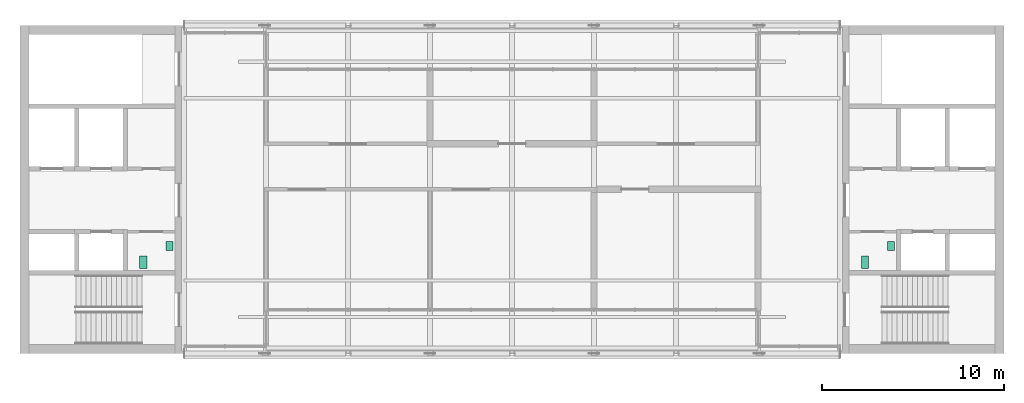
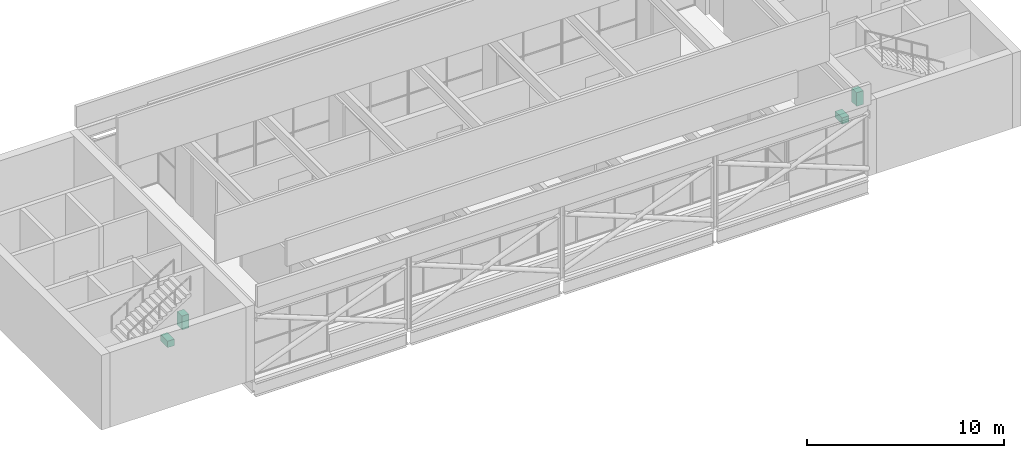
# One storey, part 13 of 13: 4 sanitary terminals.
"""IFC4 building model written with IfcOpenShell, lengths in metres."""

from ifc_helpers import new_model, si_unit, direction, frame, origin, origin_2d, place, context, subcontext, project, spatial, rectangle, extrude, element, save


model = new_model("IFC4")

# Units and contexts
model_context = context("Model", 3, precision=1e-05, world=origin(), true_north=direction((0.0, 1.0)))
body_context = subcontext(model_context, "Body", "Model", "MODEL_VIEW")
ifc_project = project(units=[si_unit("LENGTHUNIT", "METRE"), si_unit("AREAUNIT", "SQUARE_METRE"), si_unit("VOLUMEUNIT", "CUBIC_METRE"), si_unit("PLANEANGLEUNIT", "RADIAN"), si_unit("MASSUNIT", "GRAM", prefix="KILO")], contexts=[model_context])

# Site, building, storey
site_placement = place(None, origin())
site = spatial("IfcSite", under=ifc_project, at=site_placement, CompositionType="ELEMENT")
building_placement = place(site_placement, origin())
building = spatial("IfcBuilding", under=site, at=building_placement, Name="Corbel Yard City Hall", CompositionType="ELEMENT")
storey_placement = place(building_placement, frame((0.0, 0.0, 71.199951171875)))
storey = spatial("IfcBuildingStorey", under=building, at=storey_placement, Name="L17", CompositionType="ELEMENT", Elevation=71.199951171875)

# Sanitary terminals
sanitary_terminal_1_placement = place(storey_placement, frame((46.36669921875, 104.0, 0.0), z_axis=(0.0, 0.0, 1.0), x_axis=(1.0, 0.0, 0.0)))
element("IfcSanitaryTerminal", 1, at=sanitary_terminal_1_placement, inside=storey, Name="Water closet", PredefinedType="TOILETPAN", context=body_context, shape_type="SweptSolid", body=[
    extrude(rectangle(XDim=0.39990234375, YDim=0.699951171875, at=origin_2d()), origin(), (0.0, 0.0, 1.0), 0.39990234375),
])
sanitary_terminal_2_placement = place(storey_placement, frame((47.800048828125, 104.89990234375, 0.0), z_axis=(0.0, 0.0, 1.0), x_axis=(1.0, 0.0, 0.0)))
element("IfcSanitaryTerminal", 2, at=sanitary_terminal_2_placement, inside=storey, Name="Wash basin", PredefinedType="WASHHANDBASIN", context=body_context, shape_type="SweptSolid", body=[
    extrude(rectangle(XDim=0.39990234375, YDim=0.5, at=origin_2d()), origin(), (0.0, 0.0, 1.0), 0.85009765625),
])
sanitary_terminal_3_placement = place(storey_placement, frame((6.7666015625, 104.0, 0.0), z_axis=(0.0, 0.0, 1.0), x_axis=(1.0, 0.0, 0.0)))
element("IfcSanitaryTerminal", 3, at=sanitary_terminal_3_placement, inside=storey, Name="Water closet", PredefinedType="TOILETPAN", context=body_context, shape_type="SweptSolid", body=[
    extrude(rectangle(XDim=0.39990234375, YDim=0.699951171875, at=origin_2d()), origin(), (0.0, 0.0, 1.0), 0.39990234375),
])
sanitary_terminal_4_placement = place(storey_placement, frame((8.199951171875, 104.89990234375, 0.0), z_axis=(0.0, 0.0, 1.0), x_axis=(1.0, 0.0, 0.0)))
element("IfcSanitaryTerminal", 4, at=sanitary_terminal_4_placement, inside=storey, Name="Wash basin", PredefinedType="WASHHANDBASIN", context=body_context, shape_type="SweptSolid", body=[
    extrude(rectangle(XDim=0.39990234375, YDim=0.5, at=origin_2d()), origin(), (0.0, 0.0, 1.0), 0.85009765625),
])

save(model, "model.ifc")
